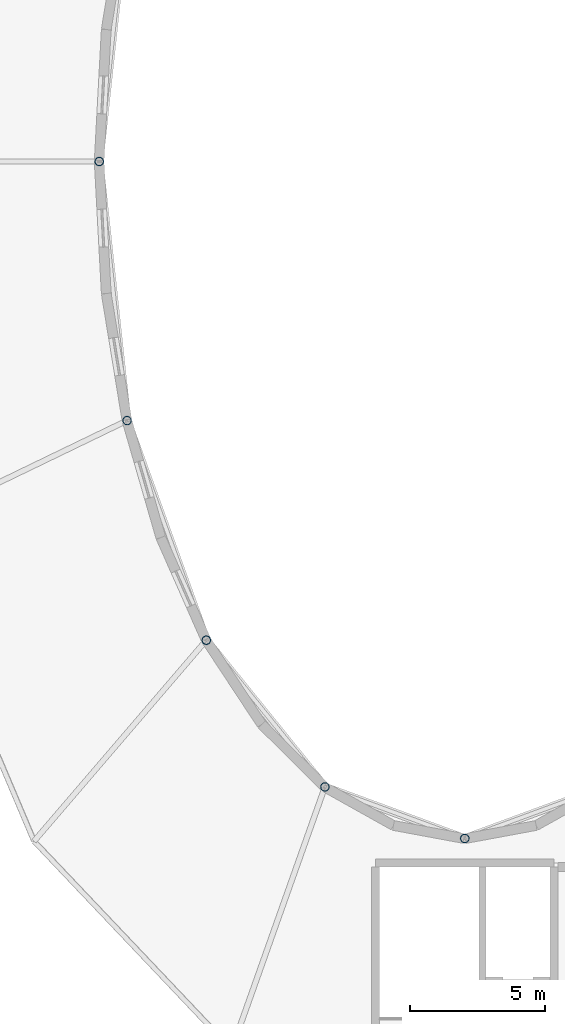
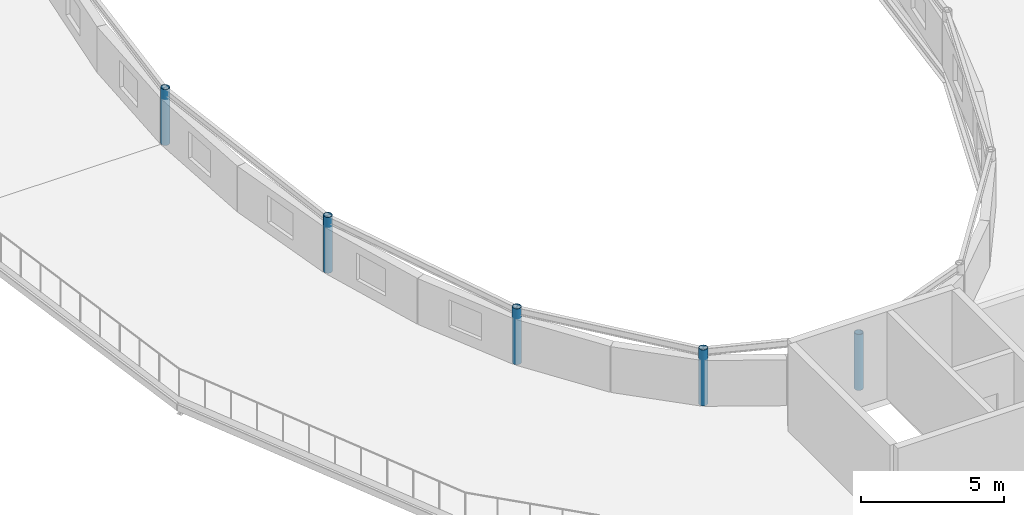
# One storey, part 20 of 123: 5 columns.
"""IFC4 building model written with IfcOpenShell, lengths in metres."""

from ifc_helpers import new_model, si_unit, direction, frame, origin, origin_2d, place, context, subcontext, project, spatial, hollow_circle, extrude, material, material_profile, profile_set, type_object, element, save


model = new_model("IFC4")

# Units and contexts
model_context = context("Model", 3, precision=1e-05, world=origin(), true_north=direction((0.0, 1.0)))
body_context = subcontext(model_context, "Body", "Model", "MODEL_VIEW")
ifc_project = project(units=[si_unit("LENGTHUNIT", "METRE"), si_unit("AREAUNIT", "SQUARE_METRE"), si_unit("VOLUMEUNIT", "CUBIC_METRE"), si_unit("PLANEANGLEUNIT", "RADIAN"), si_unit("MASSUNIT", "GRAM", prefix="KILO")], contexts=[model_context])

# Site, building, storey
site_placement = place(None, origin())
site = spatial("IfcSite", under=ifc_project, at=site_placement, CompositionType="ELEMENT")
building_placement = place(site_placement, origin())
building = spatial("IfcBuilding", under=site, at=building_placement, Name="Kildeholm Park Wholesale Market", CompositionType="ELEMENT")
storey_placement = place(building_placement, frame((0.0, 0.0, 9.60009765625)))
storey = spatial("IfcBuildingStorey", under=building, at=storey_placement, Name="L02", CompositionType="ELEMENT", Elevation=9.60009765625)

# Columns
ifc_material = material(Name="Steel S355", Category="steel")
ifc_material_profile = material_profile(ifc_material, hollow_circle(Radius=0.161865234375, WallThickness=0.01611328125, at=origin_2d()), Name="CHS 323.9x16")
ifc_profile_set = profile_set([ifc_material_profile], Name="Steel S355")
column_type = type_object("IfcColumnType", Name="Column C-S09 CHS 323.9x16", PredefinedType="COLUMN", material=ifc_profile_set)
for number, where, z_axis, x_axis, name in (
    (1, (174.5, 94.5, 0.0), (0.0, 0.0, 1.0), (-1.0, 0.0, 0.0), "Column V2-IN-08 L02 COL-0259"),
    (2, (175.528076171875, 84.93310546875, 0.0), (0.0, 0.0, 1.0), (-0.923879532511, -0.382683432365, 0.0), "Column V2-IN-09 L02 COL-0264"),
    (3, (178.4541015625, 76.822021484375, 0.0), (0.0, 0.0, 1.0), (-0.707106781187, -0.707106781187, 0.0), "Column V2-IN-10 L02 COL-0269"),
    (4, (182.833984375, 71.403076171875, 0.0), (0.0, 0.0, 1.0), (-0.382683432365, -0.923879532511, 0.0), "Column V2-IN-11 L02 COL-0274"),
    (5, (188.0, 69.5, 0.0), (0.0, 0.0, 1.0), (0.0, -1.0, 0.0), "Column V2-IN-12 L02 COL-0279"),
):
    element("IfcColumn", number, at=place(storey_placement, frame(where, z_axis=z_axis, x_axis=x_axis)), inside=storey, type_object=column_type, Name=name, PredefinedType="COLUMN", context=body_context, shape_type="SweptSolid", body=[
        extrude(hollow_circle(Radius=0.161865234375, WallThickness=0.01611328125, at=origin_2d()), origin(), (0.0, 0.0, 1.0), 2.3798828125),
    ])

save(model, "model.ifc")
